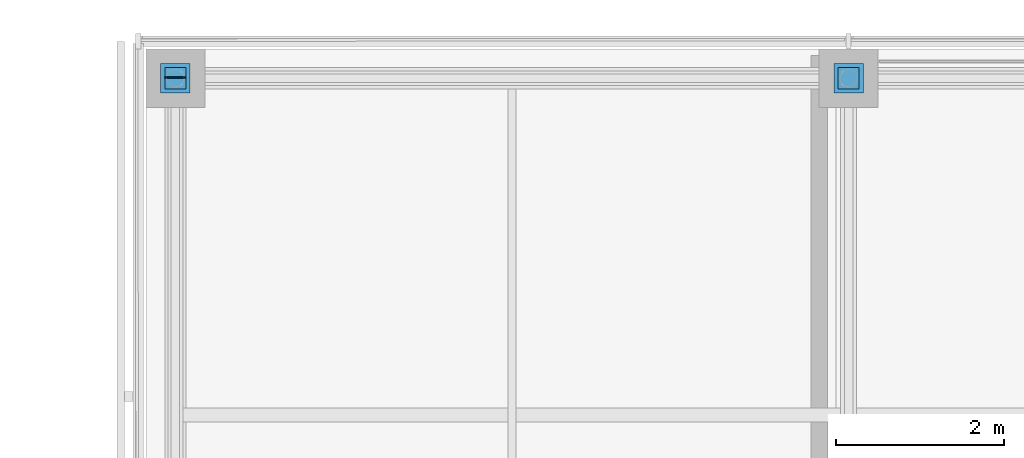
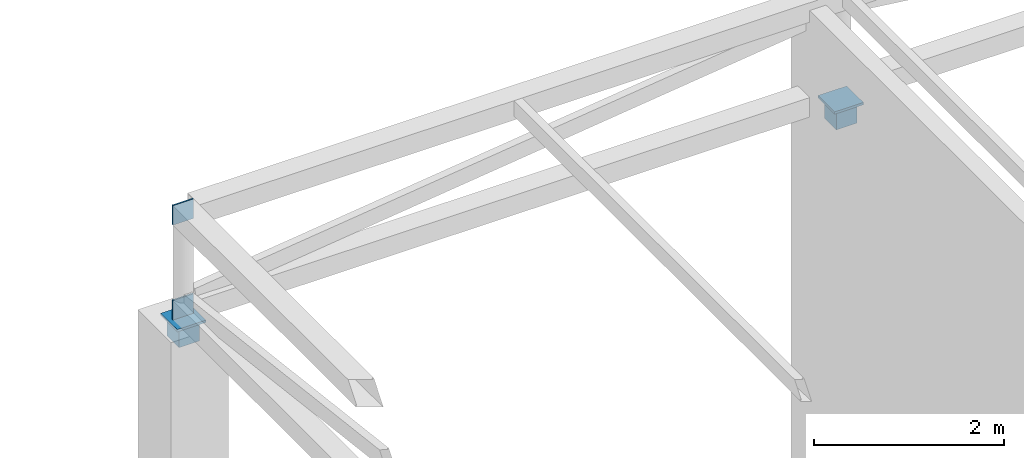
# One storey, part 19 of 23: 6 discrete accessories.
"""IFC4 building model written with IfcOpenShell, lengths in metres."""

import ifcopenshell
import ifcopenshell.guid

model = None  # the IFC model being written
_history = None  # IfcOwnerHistory: only IFC2X3 demands one
_inside = {}  # id of a spatial element -> (the spatial element, [elements in it])
_under = {}  # id of a project, library or spatial element -> (it, [spatial elements below it])
_declared = {}  # id of a project -> (the project, [libraries it declares])
_typed = {}  # id of a type object -> (the type object, [elements of that type])
_made_of = {}  # id of a material, layer set ... -> (it, [elements and type objects made of it])


def new_model(schema):
    """Start an empty IFC model of exactly this schema.

    Asked for "IFC4X3", IfcOpenShell would pick the latest addendum, in which some entities
    have other attributes; the version numbers below select the first issue.
    IFC2X3 requires an IfcOwnerHistory on every rooted entity: one is made here for all.
    """
    global model, _history
    if schema == "IFC4X3":
        model = ifcopenshell.file(schema_version=(4, 3, 0, 0))
    else:
        model = ifcopenshell.file(schema=schema)
    _inside.clear()
    _under.clear()
    _declared.clear()
    _typed.clear()
    _made_of.clear()
    _history = None
    if model.schema == "IFC2X3":
        org = make("IfcOrganization", Name="unknown")
        user = make(
            "IfcPersonAndOrganization",
            ThePerson=make("IfcPerson", FamilyName="unknown"),
            TheOrganization=org,
        )
        app = make(
            "IfcApplication",
            ApplicationDeveloper=org,
            Version="unknown",
            ApplicationFullName="unknown",
            ApplicationIdentifier="unknown",
        )
        _history = make(
            "IfcOwnerHistory",
            OwningUser=user,
            OwningApplication=app,
            ChangeAction="ADDED",
            CreationDate=0,
        )
    return model


def make(cls, **values):
    """One entity of the class cls with the attributes given. An attribute that is None is left unset."""
    return model.create_entity(
        cls, **{name: value for name, value in values.items() if value is not None}
    )


def rooted(cls, **values):
    """An entity with a GlobalId (a new one), such as an element, a storey or a relation."""
    return make(cls, GlobalId=ifcopenshell.guid.new(), OwnerHistory=_history, **values)


def si_unit(unit_type, name, prefix=None):
    """IfcSIUnit, for example si_unit("LENGTHUNIT", "METRE", prefix="MILLI")."""
    return make("IfcSIUnit", UnitType=unit_type, Prefix=prefix, Name=name)


def assignment(units):
    """IfcUnitAssignment: the units of a project."""
    return None if units is None else make("IfcUnitAssignment", Units=units)


def point(xyz):
    """IfcCartesianPoint."""
    return None if xyz is None else make("IfcCartesianPoint", Coordinates=xyz)


def direction(xyz):
    """IfcDirection."""
    return None if xyz is None else make("IfcDirection", DirectionRatios=xyz)


def frame(location, z_axis=None, x_axis=None):
    """IfcAxis2Placement3D, a coordinate frame: its origin and axes. An axis left out is left unset."""
    return make(
        "IfcAxis2Placement3D",
        Location=point(location),
        Axis=direction(z_axis),
        RefDirection=direction(x_axis),
    )


def frame_2d(location, x_axis=None):
    """IfcAxis2Placement2D, a coordinate frame in the plane: its origin and x axis."""
    return make(
        "IfcAxis2Placement2D", Location=point(location), RefDirection=direction(x_axis)
    )


def origin():
    """The frame at (0, 0, 0) with its axes left unset."""
    return frame((0.0, 0.0, 0.0))


def origin_2d():
    """The frame at (0, 0) in the plane with its x axis left unset."""
    return frame_2d((0.0, 0.0))


def place(relative_to, where):
    """IfcLocalPlacement: puts the frame where relative to a parent placement (None: the world)."""
    return make(
        "IfcLocalPlacement", PlacementRelTo=relative_to, RelativePlacement=where
    )


def context(
    kind, dimensions, precision=None, world=None, true_north=None, identifier=None
):
    """IfcGeometricRepresentationContext, for example the 3D "Model" context."""
    return make(
        "IfcGeometricRepresentationContext",
        ContextIdentifier=identifier,
        ContextType=kind,
        CoordinateSpaceDimension=dimensions,
        Precision=precision,
        WorldCoordinateSystem=world,
        TrueNorth=true_north,
    )


def subcontext(parent, identifier, kind, view, scale=None):
    """IfcGeometricRepresentationSubContext, for example "Body" below "Model"."""
    return make(
        "IfcGeometricRepresentationSubContext",
        ContextIdentifier=identifier,
        ContextType=kind,
        ParentContext=parent,
        TargetScale=scale,
        TargetView=view,
    )


def project(units=None, contexts=None):
    """IfcProject with its units and contexts."""
    return rooted(
        "IfcProject",
        Name="project",
        RepresentationContexts=contexts,
        UnitsInContext=assignment(units),
    )


def spatial(cls, under=None, at=None, **own):
    """A site, building, storey or space (cls), placed at a placement, below another one or the project."""
    s = rooted(cls, ObjectPlacement=at, **own)
    if under is not None:
        _under.setdefault(under.id(), (under, []))[1].append(s)
    return s


def profile(cls, at=None, kind="AREA", **sizes):
    """A parametric profile (cls). Its sizes go by their IFC names, for example OverallWidth=200.0."""
    return make(cls, ProfileType=kind, Position=at, **sizes)


def rectangle(**sizes):
    """IfcRectangleProfileDef."""
    return profile("IfcRectangleProfileDef", **sizes)


def extrude(swept, where, along, depth):
    """IfcExtrudedAreaSolid: the profile swept, set in the frame where, extruded along a direction by depth."""
    return make(
        "IfcExtrudedAreaSolid",
        SweptArea=swept,
        Position=where,
        ExtrudedDirection=direction(along),
        Depth=depth,
    )


def shape(context_of_items, identifier, shape_type, items):
    """IfcShapeRepresentation: the items that make up one representation, for example the "Body"."""
    return make(
        "IfcShapeRepresentation",
        ContextOfItems=context_of_items,
        RepresentationIdentifier=identifier,
        RepresentationType=shape_type,
        Items=items,
    )


def material(Name=None, Category=None):
    """IfcMaterial."""
    return make("IfcMaterial", Name=Name, Category=Category)


def layer(
    of_material, thickness, ventilated=None, Name=None, Category=None, Priority=None
):
    """IfcMaterialLayer: one layer of a wall or slab, of a material (None: an air gap)."""
    return make(
        "IfcMaterialLayer",
        Material=of_material,
        LayerThickness=thickness,
        IsVentilated=ventilated,
        Name=Name,
        Category=Category,
        Priority=Priority,
    )


def layer_set(layers, Name=None):
    """IfcMaterialLayerSet."""
    return make("IfcMaterialLayerSet", MaterialLayers=layers, LayerSetName=Name)


def made_of(thing, what):
    """Note that an element or type object is made of a material, layer set ...; save() writes the relation."""
    if what is not None:
        _made_of.setdefault(what.id(), (what, []))[1].append(thing)
    return thing


def type_object(cls, material=None, **own):
    """A type object (cls), such as IfcWallType, which elements share."""
    return made_of(rooted(cls, **own), material)


def element(
    cls,
    number,
    at=None,
    inside=None,
    cuts=None,
    type_object=None,
    material=None,
    context=None,
    identifier="Body",
    shape_type=None,
    held_by="IfcProductDefinitionShape",
    body=None,
    shapes=None,
    **own,
):
    """One element of the class cls, such as IfcWall. Its Tag is "e" and its number.

    at: its placement. inside: the storey or other place that contains it. cuts: it is an
    opening in that element (IfcRelVoidsElement). A single representation is given by context,
    identifier, shape_type and body (its items); several are given by shapes. held_by: the class
    of the entity that holds the representations. save() writes the other relations.
    """
    e = rooted(cls, Tag="e%d" % number, ObjectPlacement=at, **own)
    if body is not None:
        shapes = [shape(context, identifier, shape_type, body)]
    if shapes is not None:
        e.Representation = make(held_by, Representations=shapes)
    if inside is not None:
        _inside.setdefault(inside.id(), (inside, []))[1].append(e)
    if cuts is not None:
        rooted(
            "IfcRelVoidsElement", RelatingBuildingElement=cuts, RelatedOpeningElement=e
        )
    if type_object is not None:
        _typed.setdefault(type_object.id(), (type_object, []))[1].append(e)
    return made_of(e, material)


def aggregate(whole, parts):
    """IfcRelAggregates: a whole, such as a stair, and the parts it consists of."""
    return rooted("IfcRelAggregates", RelatingObject=whole, RelatedObjects=parts)


def save(model, path):
    """Write the relations noted so far, then the file.

    IfcRelAggregates (storeys below a building ...), IfcRelContainedInSpatialStructure (elements
    in a storey), IfcRelDefinesByType, IfcRelAssociatesMaterial and IfcRelDeclares: one each for
    every whole, place, type object, material and project.
    """
    for whole, parts in _under.values():
        aggregate(whole, parts)
    for where, things in _inside.values():
        rooted(
            "IfcRelContainedInSpatialStructure",
            RelatedElements=things,
            RelatingStructure=where,
        )
    for kind, things in _typed.values():
        rooted("IfcRelDefinesByType", RelatedObjects=things, RelatingType=kind)
    for what, things in _made_of.values():
        rooted("IfcRelAssociatesMaterial", RelatedObjects=things, RelatingMaterial=what)
    for by, libraries in _declared.values():
        rooted("IfcRelDeclares", RelatingContext=by, RelatedDefinitions=libraries)
    model.write(path)


model = new_model("IFC4")

# Units and contexts
model_context = context("Model", 3, precision=1e-05, world=origin(), true_north=direction((0.0, 1.0)))
body_context = subcontext(model_context, "Body", "Model", "MODEL_VIEW")
ifc_project = project(units=[si_unit("LENGTHUNIT", "METRE"), si_unit("AREAUNIT", "SQUARE_METRE"), si_unit("VOLUMEUNIT", "CUBIC_METRE"), si_unit("PLANEANGLEUNIT", "RADIAN"), si_unit("MASSUNIT", "GRAM", prefix="KILO")], contexts=[model_context])

# Site, building, storey
site_placement = place(None, origin())
site = spatial("IfcSite", under=ifc_project, at=site_placement, CompositionType="ELEMENT")
building_placement = place(site_placement, origin())
building = spatial("IfcBuilding", under=site, at=building_placement, Name="Crosswind Convention Tower", CompositionType="ELEMENT")
storey_placement = place(building_placement, frame((0.0, 0.0, 349.10009765625)))
storey = spatial("IfcBuildingStorey", under=building, at=storey_placement, Name="L76", CompositionType="ELEMENT", Elevation=349.10009765625)

# Discrete accessories
ifc_material = material(Name="Steel S355", Category="steel")
ifc_layer_1 = layer(ifc_material, 0.030029296875)
ifc_layer_set_1 = layer_set([ifc_layer_1], Name="Steel S355")
discrete_accessory_type_1 = type_object("IfcDiscreteAccessoryType", Name="Cast-in plate 350 x 350 x 30", PredefinedType="ANCHORPLATE", material=ifc_layer_set_1)
for number, where, z_axis, x_axis, name in (
    (1, (113.0, 128.0, 10.19970703125), (0.0, 0.0, 1.0), (1.0, 0.0, 0.0), "EP5 L76 cast-in plate on column head"),
    (2, (121.0, 128.0, 10.19970703125), (0.0, 0.0, 1.0), (1.0, 0.0, 0.0), "EP5 L76 cast-in plate on column head"),
):
    element("IfcDiscreteAccessory", number, at=place(storey_placement, frame(where, z_axis=z_axis, x_axis=x_axis)), inside=storey, type_object=discrete_accessory_type_1, Name=name, PredefinedType="ANCHORPLATE", context=body_context, shape_type="SweptSolid", body=[
        extrude(rectangle(XDim=0.35009765625, YDim=0.35009765625, at=origin_2d()), origin(), (0.0, 0.0, 1.0), 0.030029296875),
    ])
ifc_layer_2 = layer(ifc_material, 0.02001953125)
ifc_layer_set_2 = layer_set([ifc_layer_2], Name="Steel S355")
discrete_accessory_type_2 = type_object("IfcDiscreteAccessoryType", Name="End cap plate 250 x 250 x 20", PredefinedType="USERDEFINED", material=ifc_layer_set_2)
for number, where, z_axis, x_axis, name in (
    (3, (113.0, 128.010009765625, 10.22998046875), (0.0, 0.0, 1.0), (1.0, 0.0, 0.0), "EC1 L76 roof truss 9 chord end cap plate"),
    (4, (113.0, 128.010009765625, 11.449951171875), (0.0, 0.0, 1.0), (1.0, 0.0, 0.0), "EC1 L76 roof truss 9 chord end cap plate"),
):
    element("IfcDiscreteAccessory", number, at=place(storey_placement, frame(where, z_axis=z_axis, x_axis=x_axis)), inside=storey, type_object=discrete_accessory_type_2, Name=name, ObjectType="END CAP PLATE", PredefinedType="USERDEFINED", context=body_context, shape_type="SweptSolid", body=[
        extrude(rectangle(XDim=0.25, YDim=0.02001953125, at=origin_2d()), origin(), (0.0, 0.0, 1.0), 0.25),
    ])
discrete_accessory_type_3 = type_object("IfcDiscreteAccessoryType", Name="Headed stud group 250 x 250 x 250", PredefinedType="USERDEFINED", material=ifc_material)
for number, where, z_axis, x_axis, name in (
    (5, (113.0, 128.0, 9.949951171875), (0.0, 0.0, 1.0), (1.0, 0.0, 0.0), "AB5 L76 headed stud group in column head"),
    (6, (121.0, 128.0, 9.949951171875), (0.0, 0.0, 1.0), (1.0, 0.0, 0.0), "AB5 L76 headed stud group in column head"),
):
    element("IfcDiscreteAccessory", number, at=place(storey_placement, frame(where, z_axis=z_axis, x_axis=x_axis)), inside=storey, type_object=discrete_accessory_type_3, Name=name, ObjectType="HEADED STUD GROUP", PredefinedType="USERDEFINED", context=body_context, shape_type="SweptSolid", body=[
        extrude(rectangle(XDim=0.25, YDim=0.25, at=origin_2d()), origin(), (0.0, 0.0, 1.0), 0.25),
    ])

save(model, "model.ifc")
